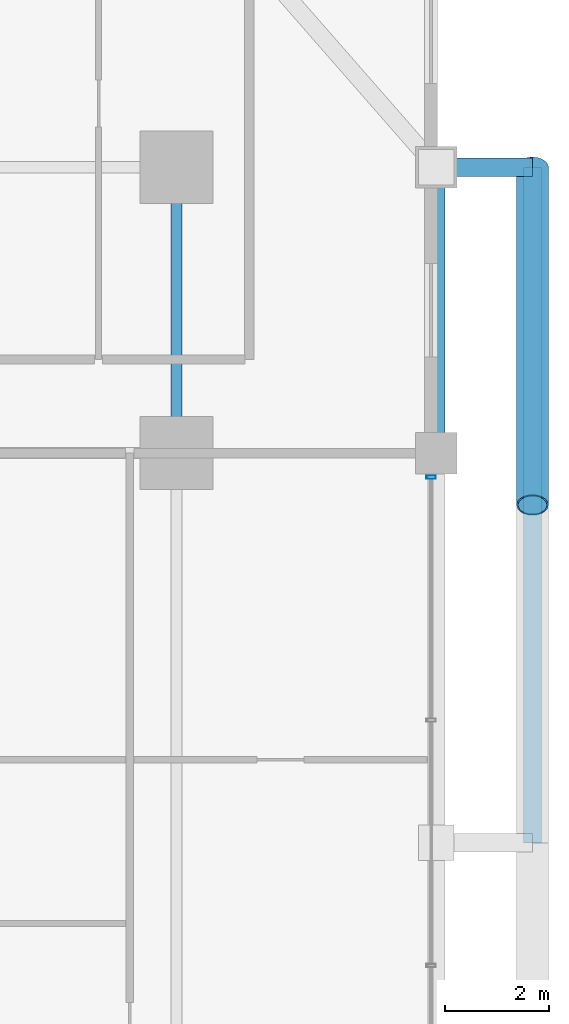
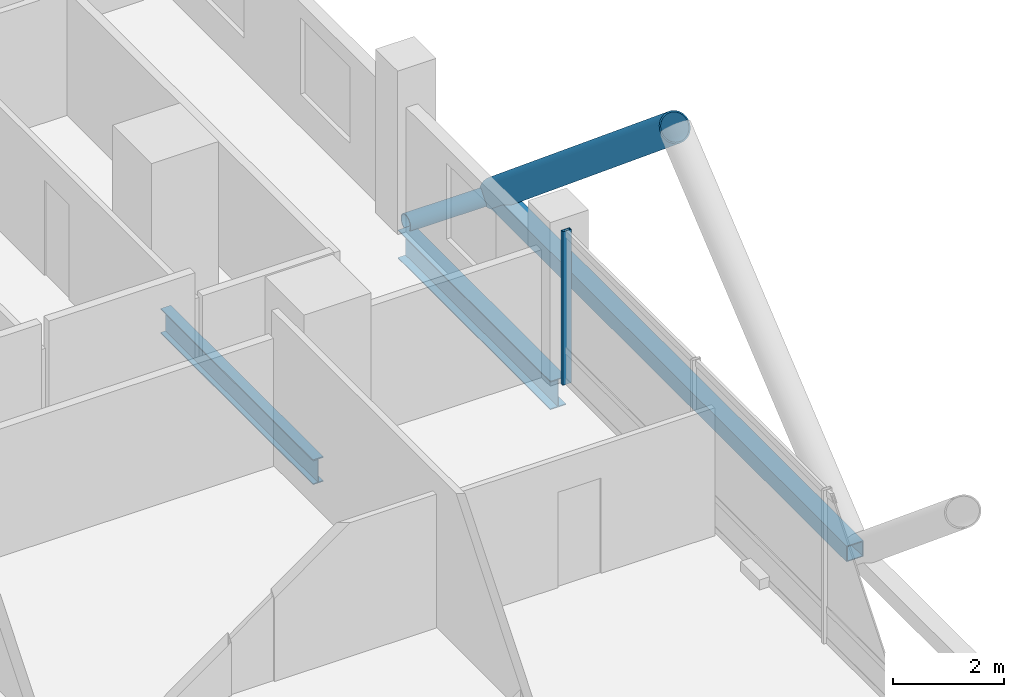
# One storey, part 19 of 28: 4 members, 2 beams, 1 element without a shape of its own.
"""IFC4 building model written with IfcOpenShell, lengths in metres."""

from ifc_helpers import new_model, si_unit, direction, frame, origin, origin_2d, place, context, subcontext, project, spatial, hollow_rectangle, hollow_circle, i_section, extrude, material, layer, layer_set, material_profile, profile_set, type_object, element, aggregate, save


model = new_model("IFC4")

# Units and contexts
model_context = context("Model", 3, precision=1e-05, world=origin(), true_north=direction((0.0, 1.0)))
body_context = subcontext(model_context, "Body", "Model", "MODEL_VIEW")
ifc_project = project(units=[si_unit("LENGTHUNIT", "METRE"), si_unit("AREAUNIT", "SQUARE_METRE"), si_unit("VOLUMEUNIT", "CUBIC_METRE"), si_unit("PLANEANGLEUNIT", "RADIAN"), si_unit("MASSUNIT", "GRAM", prefix="KILO")], contexts=[model_context])

# Site, building, storey
site_placement = place(None, origin())
site = spatial("IfcSite", under=ifc_project, at=site_placement, CompositionType="ELEMENT")
building_placement = place(site_placement, origin())
building = spatial("IfcBuilding", under=site, at=building_placement, Name="Barlavira Tower and Art Museum", CompositionType="ELEMENT")
storey_placement = place(building_placement, frame((0.0, 0.0, 39.60009765625)))
storey = spatial("IfcBuildingStorey", under=building, at=storey_placement, Name="L08", CompositionType="ELEMENT", Elevation=39.60009765625)

# Curtain wall, member
ifc_material_1 = material(Name="Low-iron coastal laminated glass", Category="glass")
ifc_layer = layer(ifc_material_1, 0.179931640625, Name="Low-iron coastal laminated glass")
ifc_layer_set = layer_set([ifc_layer], Name="Low-iron coastal laminated glass")
curtain_wall_type = type_object("IfcCurtainWallType", Name="Pale-Metal Unitised Curtain Wall Zone 1", PredefinedType="NOTDEFINED", material=ifc_layer_set)
curtain_wall_placement = place(storey_placement, origin())
curtain_wall = element("IfcCurtainWall", 1, at=curtain_wall_placement, inside=storey, type_object=curtain_wall_type, Name="L08 Curtain Wall CW1-L08-E-B3", PredefinedType="NOTDEFINED")
ifc_material_2 = material(Name="Pale anodised aluminium", Category="aluminium")
ifc_material_profile_1 = material_profile(ifc_material_2, hollow_rectangle(XDim=0.06494140625, YDim=0.179931640625, WallThickness=0.00390625, at=origin_2d()), Name="ALU-MULL 65x180x4")
ifc_profile_set_1 = profile_set([ifc_material_profile_1], Name="Pale anodised aluminium")
member_type_1 = type_object("IfcMemberType", Name="Curtain Wall Pale-Metal Mullion 65x180", PredefinedType="MULLION", material=ifc_profile_set_1)
member_1_placement = place(storey_placement, frame((21.89990234375, 7.034912109375, 0.0), z_axis=(0.0, 0.0, 1.0), x_axis=(0.0, 1.0, 0.0)))
member_1 = element("IfcMember", 2, at=member_1_placement, type_object=member_type_1, Name="CW1-L08-E-B3 Mullion 3", PredefinedType="MULLION", context=body_context, shape_type="SweptSolid", body=[
    extrude(hollow_rectangle(XDim=0.06494140625, YDim=0.179931640625, WallThickness=0.00390625, at=origin_2d()), origin(), (0.0, 0.0, 1.0), 3.3798828125),
])
aggregate(curtain_wall, [member_1])

# Members
ifc_material_3 = material(Name="Steel S355", Category="steel")
ifc_material_profile_2 = material_profile(ifc_material_3, hollow_circle(Radius=0.304931640625, WallThickness=0.028076171875, at=origin_2d()), Name="CHS 610.0x28.0")
ifc_profile_set_2 = profile_set([ifc_material_profile_2], Name="Steel S355")
member_type_2 = type_object("IfcMemberType", Name="Pale-Metal Exoskeleton Diagrid Tube CHS 610x28 Steel S355", PredefinedType="BRACE", material=ifc_profile_set_2)
member_2_placement = place(storey_placement, frame((23.85009765625, 13.0, -0.1201171875), z_axis=(0.0, -0.769196053329, 0.639012857104), x_axis=(1.0, 0.0, 0.0)))
element("IfcMember", 3, at=member_2_placement, inside=storey, type_object=member_type_2, Name="L08 Exoskeleton Diagrid Tube E", PredefinedType="BRACE", context=body_context, shape_type="SweptSolid", body=[
    extrude(hollow_circle(Radius=0.304931640625, WallThickness=0.028076171875, at=origin_2d()), origin(), (0.0, 0.0, 1.0), 8.450439453125),
])
ifc_material_profile_3 = material_profile(ifc_material_3, hollow_rectangle(XDim=0.35009765625, YDim=0.35009765625, WallThickness=0.02001953125, at=origin_2d()), Name="SHS 350x350x20.0")
ifc_profile_set_3 = profile_set([ifc_material_profile_3], Name="Steel S355")
member_type_3 = type_object("IfcMemberType", Name="Pale-Metal Exoskeleton Ring Strut SHS 350x350x20 Steel S355", PredefinedType="STRUT", material=ifc_profile_set_3)
member_3_placement = place(storey_placement, frame((23.85009765625, 0.0, -0.1201171875), z_axis=(0.0, 1.0, 0.0), x_axis=(-1.0, 0.0, 0.0)))
element("IfcMember", 4, at=member_3_placement, inside=storey, type_object=member_type_3, Name="L08 Exoskeleton Ring Strut E", PredefinedType="STRUT", context=body_context, shape_type="SweptSolid", body=[
    extrude(hollow_rectangle(XDim=0.35009765625, YDim=0.35009765625, WallThickness=0.02001953125, at=origin_2d()), origin(), (0.0, 0.0, 1.0), 13.0),
])
ifc_material_profile_4 = material_profile(ifc_material_3, hollow_circle(Radius=0.177734375, WallThickness=0.01611328125, at=origin_2d()), Name="CHS 355.6x16.0")
ifc_profile_set_4 = profile_set([ifc_material_profile_4], Name="Steel S355")
member_type_4 = type_object("IfcMemberType", Name="Pale-Metal Exoskeleton Tie Strut CHS 356x16 Steel S355", PredefinedType="STRUT", material=ifc_profile_set_4)
member_4_placement = place(storey_placement, frame((23.85009765625, 13.0, -0.1201171875), z_axis=(-1.0, 0.0, 0.0), x_axis=(0.0, -1.0, 0.0)))
element("IfcMember", 5, at=member_4_placement, inside=storey, type_object=member_type_4, Name="L08 Exoskeleton Tie Strut E3", PredefinedType="STRUT", context=body_context, shape_type="SweptSolid", body=[
    extrude(hollow_circle(Radius=0.177734375, WallThickness=0.01611328125, at=origin_2d()), origin(), (0.0, 0.0, 1.0), 1.85009765625),
])

# Beams
ifc_material_profile_5 = material_profile(ifc_material_3, i_section(OverallWidth=0.327880859375, OverallDepth=0.62890625, WebThickness=0.013916015625, FlangeThickness=0.021484375, at=origin_2d()), Name="W610x174.0")
ifc_profile_set_5 = profile_set([ifc_material_profile_5], Name="Steel S355")
beam_type_1 = type_object("IfcBeamType", Name="Perimeter Spandrel Edge Beam W610x174 Steel S355", PredefinedType="SPANDREL", material=ifc_profile_set_5)
beam_1_placement = place(storey_placement, frame((22.0, 7.5, -0.53466796875), z_axis=(0.0, 1.0, 0.0), x_axis=(-1.0, 0.0, 0.0)))
element("IfcBeam", 6, at=beam_1_placement, inside=storey, type_object=beam_type_1, Name="L08 Spandrel 7", PredefinedType="SPANDREL", context=body_context, shape_type="SweptSolid", body=[
    extrude(i_section(OverallWidth=0.327880859375, OverallDepth=0.62890625, WebThickness=0.013916015625, FlangeThickness=0.021484375, at=origin_2d()), origin(), (0.0, 0.0, 1.0), 5.5),
])
ifc_material_profile_6 = material_profile(ifc_material_3, i_section(OverallWidth=0.214111328125, OverallDepth=0.549072265625, WebThickness=0.0146484375, FlangeThickness=0.023681640625, at=origin_2d()), Name="W530x138.0")
ifc_profile_set_6 = profile_set([ifc_material_profile_6], Name="Steel S355")
beam_type_2 = type_object("IfcBeamType", Name="Zone 1 Primary Floor Girder W530x138 Steel S355", PredefinedType="BEAM", material=ifc_profile_set_6)
beam_2_placement = place(storey_placement, frame((17.0, 7.5, -0.49462890625), z_axis=(0.0, 1.0, 0.0), x_axis=(-1.0, 0.0, 0.0)))
element("IfcBeam", 7, at=beam_2_placement, inside=storey, type_object=beam_type_2, Name="L08 Girder M-E3", PredefinedType="BEAM", context=body_context, shape_type="SweptSolid", body=[
    extrude(i_section(OverallWidth=0.214111328125, OverallDepth=0.549072265625, WebThickness=0.0146484375, FlangeThickness=0.023681640625, at=origin_2d()), origin(), (0.0, 0.0, 1.0), 5.5),
])

save(model, "model.ifc")
